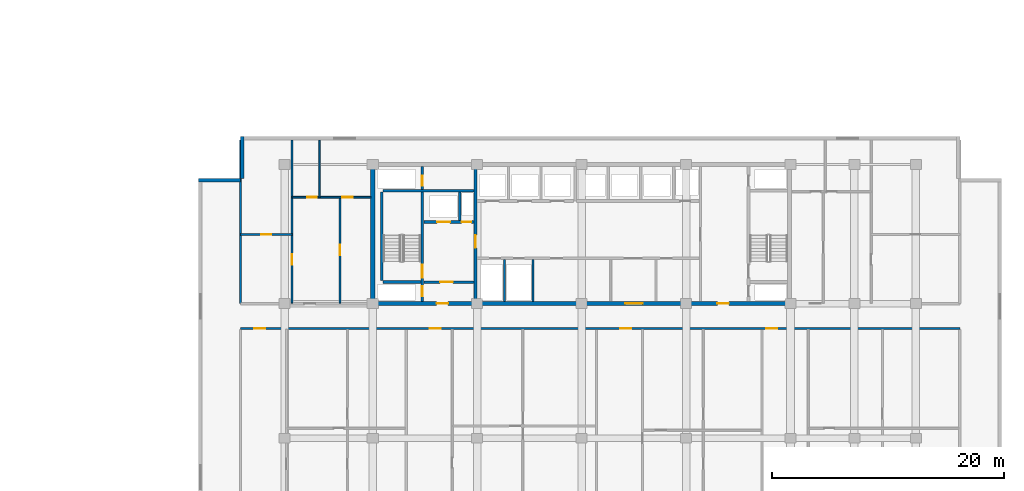
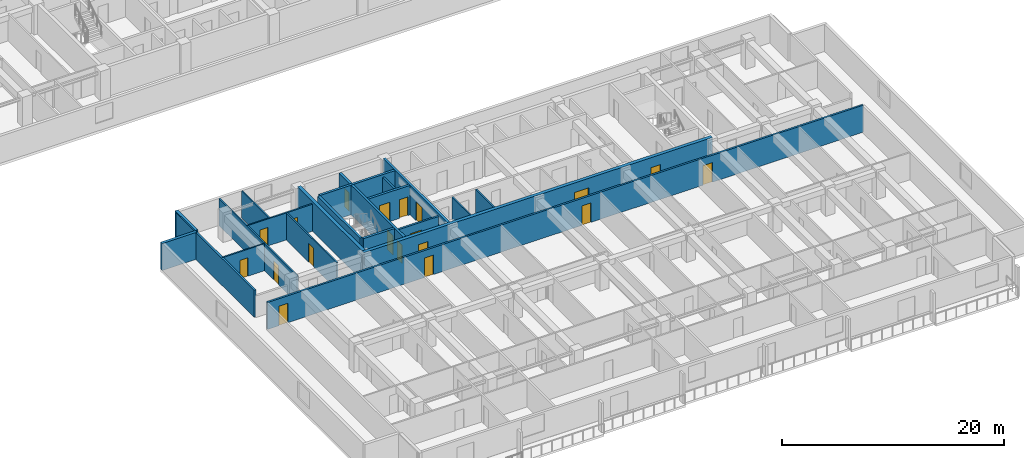
# One storey, part 6 of 23: 21 walls, 19 doors, 19 openings.
"""IFC4 building model written with IfcOpenShell, lengths in metres."""

from ifc_helpers import new_model, si_unit, direction, frame, frame_2d, origin, place, context, subcontext, project, spatial, rectangle, extrude, material, layer, layer_set, type_object, element, fill, save


model = new_model("IFC4")

# Units and contexts
model_context = context("Model", 3, precision=1e-05, world=origin(), true_north=direction((0.0, 1.0)))
body_context = subcontext(model_context, "Body", "Model", "MODEL_VIEW")
ifc_project = project(units=[si_unit("LENGTHUNIT", "METRE"), si_unit("AREAUNIT", "SQUARE_METRE"), si_unit("VOLUMEUNIT", "CUBIC_METRE"), si_unit("PLANEANGLEUNIT", "RADIAN"), si_unit("MASSUNIT", "GRAM", prefix="KILO")], contexts=[model_context])

# Site, building, storey
site_placement = place(None, origin())
site = spatial("IfcSite", under=ifc_project, at=site_placement, CompositionType="ELEMENT")
building_placement = place(site_placement, origin())
building = spatial("IfcBuilding", under=site, at=building_placement, Name="Korimba Cascade Residences", CompositionType="ELEMENT")
storey_placement = place(building_placement, frame((0.0, 0.0, 33.75)))
storey = spatial("IfcBuildingStorey", under=building, at=storey_placement, Name="L08", CompositionType="ELEMENT", Elevation=33.75)

# Walls
ifc_material_1 = material(Name="Precast concrete C40/50", Category="concrete")
ifc_layer_1 = layer(ifc_material_1, 0.300048828125)
ifc_layer_set_1 = layer_set([ifc_layer_1], Name="Precast concrete C40/50")
wall_type_1 = type_object("IfcWallType", Name="EW-STONE-300", PredefinedType="STANDARD", material=ifc_layer_set_1)
wall_1_placement = place(storey_placement, frame((70.85009765625, 32.800048828125, 0.0), z_axis=(0.0, 0.0, 1.0), x_axis=(0.0, -1.0, 0.0)))
element("IfcWall", 1, at=wall_1_placement, inside=storey, type_object=wall_type_1, Name="L08 T2 Perimeter Stone Wall E07", PredefinedType="STANDARD", context=body_context, shape_type="SweptSolid", body=[
    extrude(rectangle(XDim=3.60009765625, YDim=0.300048828125, at=frame_2d((1.800048828125, 0.0))), origin(), (0.0, 0.0, 1.0), 2.969970703125),
])
wall_2_placement = place(storey_placement, frame((70.699951171875, 29.050048828125, 0.0), z_axis=(0.0, 0.0, 1.0), x_axis=(-1.0, 0.0, 0.0)))
element("IfcWall", 2, at=wall_2_placement, inside=storey, type_object=wall_type_1, Name="L08 T2 Perimeter Stone Wall E08", PredefinedType="STANDARD", context=body_context, shape_type="SweptSolid", body=[
    extrude(rectangle(XDim=3.599853515625, YDim=0.300048828125, at=frame_2d((1.7998046875, 0.0))), origin(), (0.0, 0.0, 1.0), 2.969970703125),
])
ifc_material_2 = material(Name="Concrete C65/80", Category="concrete")
ifc_layer_2 = layer(ifc_material_2, 0.35009765625)
ifc_layer_set_2 = layer_set([ifc_layer_2], Name="Concrete C65/80")
wall_type_2 = type_object("IfcWallType", Name="WAL-CORE-350", PredefinedType="SHEAR", material=ifc_layer_set_2)
wall_3_placement = place(storey_placement, frame((82.10009765625, 18.574951171875, 0.0), z_axis=(0.0, 0.0, 1.0), x_axis=(0.0, 1.0, 0.0)))
element("IfcWall", 3, at=wall_3_placement, inside=storey, type_object=wall_type_2, Name="L08 Core Shear Wall CW-L08-T2-W", PredefinedType="SHEAR", context=body_context, shape_type="SweptSolid", body=[
    extrude(rectangle(XDim=11.650146484375, YDim=0.35009765625, at=frame_2d((5.8251953125, 0.0))), origin(), (0.0, 0.0, 1.0), 3.25),
])

# Wall, openings, doors
wall_4_placement = place(storey_placement, frame((81.925048828125, 18.39990234375, 0.0), z_axis=(0.0, 0.0, 1.0), x_axis=(1.0, 0.0, 0.0)))
wall_4 = element("IfcWall", 4, at=wall_4_placement, inside=storey, type_object=wall_type_2, Name="L08 Core Shear Wall CW-L08-T2-S", PredefinedType="SHEAR", context=body_context, shape_type="SweptSolid", body=[
    extrude(rectangle(XDim=36.264892578125, YDim=0.35009765625, at=frame_2d((18.13232421875, 0.0))), origin(), (0.0, 0.0, 1.0), 3.25),
])
opening_1_placement = place(wall_4_placement, frame((5.675048828125, 0.0, 0.0)))
opening_1 = element("IfcOpeningElement", 5, at=opening_1_placement, cuts=wall_4, Name="Opening D-FD5", PredefinedType="OPENING", context=body_context, shape_type="SweptSolid", body=[
    extrude(rectangle(XDim=1.0, YDim=2.14990234375, at=frame_2d((0.5, 1.074951171875))), frame((0.0, 0.18505859375, 0.0), z_axis=(0.0, -1.0, 0.0), x_axis=(1.0, 0.0, 0.0)), (0.0, 0.0, 1.0), 0.3701171875),
])
opening_2_placement = place(wall_4_placement, frame((21.925048828125, 0.0, 0.0)))
opening_2 = element("IfcOpeningElement", 6, at=opening_2_placement, cuts=wall_4, Name="Opening D-FD8", PredefinedType="OPENING", context=body_context, shape_type="SweptSolid", body=[
    extrude(rectangle(XDim=1.5, YDim=2.199951171875, at=frame_2d((0.75, 1.10009765625))), frame((0.0, 0.18505859375, 0.0), z_axis=(0.0, -1.0, 0.0), x_axis=(1.0, 0.0, 0.0)), (0.0, 0.0, 1.0), 0.3701171875),
])
opening_3_placement = place(wall_4_placement, frame((29.875, 0.0, 0.0)))
opening_3 = element("IfcOpeningElement", 7, at=opening_3_placement, cuts=wall_4, Name="Opening D-FD5", PredefinedType="OPENING", context=body_context, shape_type="SweptSolid", body=[
    extrude(rectangle(XDim=1.0, YDim=2.14990234375, at=frame_2d((0.5, 1.074951171875))), frame((0.0, 0.18505859375, 0.0), z_axis=(0.0, -1.0, 0.0), x_axis=(1.0, 0.0, 0.0)), (0.0, 0.0, 1.0), 0.3701171875),
])
ifc_material_3 = material(Name="Fire-Rated Acoustic Timber Vestibule Door", Category="wood")
door_type_1 = type_object("IfcDoorType", Name="DR-FD90-1000", OperationType="NOTDEFINED", PredefinedType="DOOR", material=ifc_material_3)
door_1_placement = place(opening_1_placement, origin())
door_1 = element("IfcDoor", 8, at=door_1_placement, inside=storey, type_object=door_type_1, Name="L08 T2 West Core Vestibule Fire Door", OperationType="SINGLE_SWING_LEFT", OverallHeight=2.14990234375, OverallWidth=1.0, PredefinedType="DOOR", context=body_context, shape_type="SweptSolid", body=[
    extrude(rectangle(XDim=1.0, YDim=2.14990234375, at=frame_2d((0.5, 1.074951171875))), frame((0.0, 0.02490234375, 0.0), z_axis=(0.0, -1.0, 0.0), x_axis=(1.0, 0.0, 0.0)), (0.0, 0.0, 1.0), 0.050048828125),
])
fill(opening_1, door_1)
door_2_placement = place(opening_3_placement, origin())
door_2 = element("IfcDoor", 9, at=door_2_placement, inside=storey, type_object=door_type_1, Name="L08 T2 East Stair Vestibule Fire Door", OperationType="SINGLE_SWING_RIGHT", OverallHeight=2.14990234375, OverallWidth=1.0, PredefinedType="DOOR", context=body_context, shape_type="SweptSolid", body=[
    extrude(rectangle(XDim=1.0, YDim=2.14990234375, at=frame_2d((0.5, 1.074951171875))), frame((0.0, 0.02490234375, 0.0), z_axis=(0.0, -1.0, 0.0), x_axis=(1.0, 0.0, 0.0)), (0.0, 0.0, 1.0), 0.050048828125),
])
fill(opening_3, door_2)
ifc_material_4 = material(Name="Fire-Rated Glazed Lift Lobby Double Door", Category="glass")
door_type_2 = type_object("IfcDoorType", Name="DR-FD90-1500", OperationType="NOTDEFINED", PredefinedType="DOOR", material=ifc_material_4)
door_3_placement = place(opening_2_placement, origin())
door_3 = element("IfcDoor", 10, at=door_3_placement, inside=storey, type_object=door_type_2, Name="L08 T2 Lift Lobby Fire Door", OperationType="DOUBLE_DOOR_SINGLE_SWING", OverallHeight=2.199951171875, OverallWidth=1.5, PredefinedType="DOOR", context=body_context, shape_type="SweptSolid", body=[
    extrude(rectangle(XDim=1.5, YDim=2.199951171875, at=frame_2d((0.75, 1.10009765625))), frame((0.0, 0.02490234375, 0.0), z_axis=(0.0, -1.0, 0.0), x_axis=(1.0, 0.0, 0.0)), (0.0, 0.0, 1.0), 0.050048828125),
])
fill(opening_2, door_3)

# Wall
ifc_layer_3 = layer(ifc_material_1, 0.199951171875)
ifc_layer_set_3 = layer_set([ifc_layer_3], Name="Precast concrete C40/50")
wall_type_3 = type_object("IfcWallType", Name="WAL-IT-200", PredefinedType="PARTITIONING", material=ifc_layer_set_3)
wall_5_placement = place(storey_placement, frame((70.699951171875, 18.39990234375, 0.0), z_axis=(0.0, 0.0, 1.0), x_axis=(0.0, 1.0, 0.0)))
element("IfcWall", 11, at=wall_5_placement, inside=storey, type_object=wall_type_3, Name="L08 Partition Wall WAL-L08-T2-FW-WL", PredefinedType="PARTITIONING", context=body_context, shape_type="SweptSolid", body=[
    extrude(rectangle(XDim=14.10009765625, YDim=0.199951171875, at=frame_2d((7.050048828125, 0.0))), origin(), (0.0, 0.0, 1.0), 2.969970703125),
])

# Wall, openings, doors
wall_6_placement = place(storey_placement, frame((70.699951171875, 16.25, 0.0), z_axis=(0.0, 0.0, 1.0), x_axis=(1.0, 0.0, 0.0)))
wall_6 = element("IfcWall", 12, at=wall_6_placement, inside=storey, type_object=wall_type_3, Name="L08 Partition Wall WAL-L08-T2-CORS", PredefinedType="PARTITIONING", context=body_context, shape_type="SweptSolid", body=[
    extrude(rectangle(XDim=62.0, YDim=0.199951171875, at=frame_2d((31.0, 0.0))), origin(), (0.0, 0.0, 1.0), 2.969970703125),
])
opening_4_placement = place(wall_6_placement, frame((1.18603515625, 0.0, 0.0)))
opening_4 = element("IfcOpeningElement", 13, at=opening_4_placement, cuts=wall_6, Name="Opening D-UN1", PredefinedType="OPENING", context=body_context, shape_type="SweptSolid", body=[
    extrude(rectangle(XDim=0.949951171875, YDim=2.14990234375, at=frame_2d((0.47509765625, 1.074951171875))), frame((0.0, 0.10986328125, 0.0), z_axis=(0.0, -1.0, 0.0), x_axis=(1.0, 0.0, 0.0)), (0.0, 0.0, 1.0), 0.219970703125),
])
opening_5_placement = place(wall_6_placement, frame((16.32080078125, 0.0, 0.0)))
opening_5 = element("IfcOpeningElement", 14, at=opening_5_placement, cuts=wall_6, Name="Opening D-UN1", PredefinedType="OPENING", context=body_context, shape_type="SweptSolid", body=[
    extrude(rectangle(XDim=0.949951171875, YDim=2.14990234375, at=frame_2d((0.47509765625, 1.074951171875))), frame((0.0, 0.10986328125, 0.0), z_axis=(0.0, -1.0, 0.0), x_axis=(1.0, 0.0, 0.0)), (0.0, 0.0, 1.0), 0.219970703125),
])
opening_6_placement = place(wall_6_placement, frame((32.719970703125, 0.0, 0.0)))
opening_6 = element("IfcOpeningElement", 15, at=opening_6_placement, cuts=wall_6, Name="Opening D-UN1", PredefinedType="OPENING", context=body_context, shape_type="SweptSolid", body=[
    extrude(rectangle(XDim=0.949951171875, YDim=2.14990234375, at=frame_2d((0.47509765625, 1.074951171875))), frame((0.0, 0.10986328125, 0.0), z_axis=(0.0, -1.0, 0.0), x_axis=(1.0, 0.0, 0.0)), (0.0, 0.0, 1.0), 0.219970703125),
])
opening_7_placement = place(wall_6_placement, frame((45.32080078125, 0.0, 0.0)))
opening_7 = element("IfcOpeningElement", 16, at=opening_7_placement, cuts=wall_6, Name="Opening D-UN1", PredefinedType="OPENING", context=body_context, shape_type="SweptSolid", body=[
    extrude(rectangle(XDim=0.949951171875, YDim=2.14990234375, at=frame_2d((0.47509765625, 1.074951171875))), frame((0.0, 0.10986328125, 0.0), z_axis=(0.0, -1.0, 0.0), x_axis=(1.0, 0.0, 0.0)), (0.0, 0.0, 1.0), 0.219970703125),
])
ifc_material_5 = material(Name="Fire-Rated Hardwood Apartment Entrance Door", Category="wood")
door_type_3 = type_object("IfcDoorType", Name="DR-FD60-950", OperationType="NOTDEFINED", PredefinedType="DOOR", material=ifc_material_5)
door_4_placement = place(opening_4_placement, origin())
door_4 = element("IfcDoor", 17, at=door_4_placement, inside=storey, type_object=door_type_3, Name="Unit L08-T2-U01 Entrance Door", OperationType="SINGLE_SWING_RIGHT", OverallHeight=2.14990234375, OverallWidth=0.949951171875, PredefinedType="DOOR", context=body_context, shape_type="SweptSolid", body=[
    extrude(rectangle(XDim=0.949951171875, YDim=2.14990234375, at=frame_2d((0.47509765625, 1.074951171875))), frame((0.0, 0.02490234375, 0.0), z_axis=(0.0, -1.0, 0.0), x_axis=(1.0, 0.0, 0.0)), (0.0, 0.0, 1.0), 0.050048828125),
])
fill(opening_4, door_4)
door_5_placement = place(opening_5_placement, origin())
door_5 = element("IfcDoor", 18, at=door_5_placement, inside=storey, type_object=door_type_3, Name="Unit L08-T2-U02 Entrance Door", OperationType="SINGLE_SWING_LEFT", OverallHeight=2.14990234375, OverallWidth=0.949951171875, PredefinedType="DOOR", context=body_context, shape_type="SweptSolid", body=[
    extrude(rectangle(XDim=0.949951171875, YDim=2.14990234375, at=frame_2d((0.47509765625, 1.074951171875))), frame((0.0, 0.02490234375, 0.0), z_axis=(0.0, -1.0, 0.0), x_axis=(1.0, 0.0, 0.0)), (0.0, 0.0, 1.0), 0.050048828125),
])
fill(opening_5, door_5)
door_6_placement = place(opening_6_placement, origin())
door_6 = element("IfcDoor", 19, at=door_6_placement, inside=storey, type_object=door_type_3, Name="Unit L08-T2-U03 Entrance Door", OperationType="SINGLE_SWING_RIGHT", OverallHeight=2.14990234375, OverallWidth=0.949951171875, PredefinedType="DOOR", context=body_context, shape_type="SweptSolid", body=[
    extrude(rectangle(XDim=0.949951171875, YDim=2.14990234375, at=frame_2d((0.47509765625, 1.074951171875))), frame((0.0, 0.02490234375, 0.0), z_axis=(0.0, -1.0, 0.0), x_axis=(1.0, 0.0, 0.0)), (0.0, 0.0, 1.0), 0.050048828125),
])
fill(opening_6, door_6)
door_7_placement = place(opening_7_placement, origin())
door_7 = element("IfcDoor", 20, at=door_7_placement, inside=storey, type_object=door_type_3, Name="Unit L08-T2-U04 Entrance Door", OperationType="SINGLE_SWING_LEFT", OverallHeight=2.14990234375, OverallWidth=0.949951171875, PredefinedType="DOOR", context=body_context, shape_type="SweptSolid", body=[
    extrude(rectangle(XDim=0.949951171875, YDim=2.14990234375, at=frame_2d((0.47509765625, 1.074951171875))), frame((0.0, 0.02490234375, 0.0), z_axis=(0.0, -1.0, 0.0), x_axis=(1.0, 0.0, 0.0)), (0.0, 0.0, 1.0), 0.050048828125),
])
fill(opening_7, door_7)

# Walls
ifc_material_6 = material(Name="Insulated Acoustic Stud Partition", Category="gypsum")
ifc_layer_4 = layer(ifc_material_6, 0.14990234375)
ifc_layer_set_4 = layer_set([ifc_layer_4], Name="Insulated Acoustic Stud Partition")
wall_type_4 = type_object("IfcWallType", Name="WAL-PART-150", PredefinedType="PARTITIONING", material=ifc_layer_set_4)
for number, where, z_axis, x_axis, name in (
    (21, (93.449951171875, 18.60009765625, 0.0), (0.0, 0.0, 1.0), (0.0, 1.0, 0.0), "L08 Partition Wall CW-L08-T2-ERDIV"),
    (22, (95.89990234375, 18.60009765625, 0.0), (0.0, 0.0, 1.0), (0.0, 1.0, 0.0), "L08 Partition Wall CW-L08-T2-PRDIV"),
):
    element("IfcWall", number, at=place(storey_placement, frame(where, z_axis=z_axis, x_axis=x_axis)), inside=storey, type_object=wall_type_4, Name=name, PredefinedType="PARTITIONING", context=body_context, shape_type="SweptSolid", body=[
        extrude(rectangle(XDim=3.599853515625, YDim=0.14990234375, at=frame_2d((1.7998046875, 0.0))), origin(), (0.0, 0.0, 1.0), 2.969970703125),
    ])

# Wall, opening, door
wall_7_placement = place(storey_placement, frame((70.699951171875, 24.35009765625, 0.0), z_axis=(0.0, 0.0, 1.0), x_axis=(1.0, 0.0, 0.0)))
wall_7 = element("IfcWall", 23, at=wall_7_placement, inside=storey, type_object=wall_type_4, Name="L08 Partition Wall WAL-L08-T2-FW-STH", PredefinedType="PARTITIONING", context=body_context, shape_type="SweptSolid", body=[
    extrude(rectangle(XDim=4.449951171875, YDim=0.14990234375, at=frame_2d((2.22509765625, 0.0))), origin(), (0.0, 0.0, 1.0), 2.969970703125),
])
opening_8_placement = place(wall_7_placement, frame((1.804931640625, 0.0, 0.0)))
opening_8 = element("IfcOpeningElement", 24, at=opening_8_placement, cuts=wall_7, Name="Opening D-BT1", PredefinedType="OPENING", context=body_context, shape_type="SweptSolid", body=[
    extrude(rectangle(XDim=0.840087890625, YDim=2.0400390625, at=frame_2d((0.419921875, 1.02001953125))), frame((0.0, 0.0849609375, 0.0), z_axis=(0.0, -1.0, 0.0), x_axis=(1.0, 0.0, 0.0)), (0.0, 0.0, 1.0), 0.169921875),
])
ifc_material_7 = material(Name="Moisture-Resistant Bathroom Timber Door", Category="wood")
door_type_4 = type_object("IfcDoorType", Name="DR-INT-850", OperationType="NOTDEFINED", PredefinedType="DOOR", material=ifc_material_7)
door_8_placement = place(opening_8_placement, origin())
door_8 = element("IfcDoor", 25, at=door_8_placement, inside=storey, type_object=door_type_4, Name="L08-T2-FW Dressing Store Door", OperationType="SINGLE_SWING_RIGHT", OverallHeight=2.0400390625, OverallWidth=0.840087890625, PredefinedType="DOOR", context=body_context, shape_type="SweptSolid", body=[
    extrude(rectangle(XDim=0.840087890625, YDim=2.0400390625, at=frame_2d((0.419921875, 1.02001953125))), frame((0.0, 0.02490234375, 0.0), z_axis=(0.0, -1.0, 0.0), x_axis=(1.0, 0.0, 0.0)), (0.0, 0.0, 1.0), 0.050048828125),
])
fill(opening_8, door_8)

wall_8_placement = place(storey_placement, frame((75.14990234375, 18.449951171875, 0.0), z_axis=(0.0, 0.0, 1.0), x_axis=(0.0, 1.0, 0.0)))
wall_8 = element("IfcWall", 26, at=wall_8_placement, inside=storey, type_object=wall_type_4, Name="L08 Partition Wall WAL-L08-T2-FW-STV", PredefinedType="PARTITIONING", context=body_context, shape_type="SweptSolid", body=[
    extrude(rectangle(XDim=14.050048828125, YDim=0.14990234375, at=frame_2d((7.02490234375, 0.0))), origin(), (0.0, 0.0, 1.0), 2.969970703125),
])
opening_9_placement = place(wall_8_placement, frame((3.320068359375, 0.0, 0.0)))
opening_9 = element("IfcOpeningElement", 27, at=opening_9_placement, cuts=wall_8, Name="Opening D-IN2", PredefinedType="OPENING", context=body_context, shape_type="SweptSolid", body=[
    extrude(rectangle(XDim=0.8798828125, YDim=2.06005859375, at=frame_2d((0.43994140625, 1.030029296875))), frame((0.0, 0.0849609375, 0.0), z_axis=(0.0, -1.0, 0.0), x_axis=(1.0, 0.0, 0.0)), (0.0, 0.0, 1.0), 0.169921875),
])
ifc_material_8 = material(Name="Acoustic Timber Bedroom Door", Category="wood")
door_type_5 = type_object("IfcDoorType", Name="DR-INT-880", OperationType="NOTDEFINED", PredefinedType="DOOR", material=ifc_material_8)
door_9_placement = place(opening_9_placement, origin())
door_9 = element("IfcDoor", 28, at=door_9_placement, inside=storey, type_object=door_type_5, Name="L08-T2-FW Study Door", OperationType="SINGLE_SWING_LEFT", OverallHeight=2.06005859375, OverallWidth=0.8798828125, PredefinedType="DOOR", context=body_context, shape_type="SweptSolid", body=[
    extrude(rectangle(XDim=0.8798828125, YDim=2.06005859375, at=frame_2d((0.43994140625, 1.030029296875))), frame((0.0, 0.02490234375, 0.0), z_axis=(0.0, -1.0, 0.0), x_axis=(1.0, 0.0, 0.0)), (0.0, 0.0, 1.0), 0.050048828125),
])
fill(opening_9, door_9)

wall_9_placement = place(storey_placement, frame((79.27001953125, 18.449951171875, 0.0), z_axis=(0.0, 0.0, 1.0), x_axis=(0.0, 1.0, 0.0)))
wall_9 = element("IfcWall", 29, at=wall_9_placement, inside=storey, type_object=wall_type_4, Name="L08 Partition Wall WAL-L08-T2-FW-VS", PredefinedType="PARTITIONING", context=body_context, shape_type="SweptSolid", body=[
    extrude(rectangle(XDim=9.1201171875, YDim=0.14990234375, at=frame_2d((4.56005859375, 0.0))), origin(), (0.0, 0.0, 1.0), 2.969970703125),
])
opening_10_placement = place(wall_9_placement, frame((4.10009765625, 0.0, 0.0)))
opening_10 = element("IfcOpeningElement", 30, at=opening_10_placement, cuts=wall_9, Name="Opening D-IN1", PredefinedType="OPENING", context=body_context, shape_type="SweptSolid", body=[
    extrude(rectangle(XDim=0.919921875, YDim=2.080078125, at=frame_2d((0.4599609375, 1.0400390625))), frame((0.0, 0.0849609375, 0.0), z_axis=(0.0, -1.0, 0.0), x_axis=(1.0, 0.0, 0.0)), (0.0, 0.0, 1.0), 0.169921875),
])
ifc_material_9 = material(Name="Acoustic Timber Living Door", Category="wood")
door_type_6 = type_object("IfcDoorType", Name="DR-INT-920", OperationType="NOTDEFINED", PredefinedType="DOOR", material=ifc_material_9)
door_10_placement = place(opening_10_placement, origin())
door_10 = element("IfcDoor", 31, at=door_10_placement, inside=storey, type_object=door_type_6, Name="L08-T2-FW Living Door", OperationType="SINGLE_SWING_RIGHT", OverallHeight=2.080078125, OverallWidth=0.919921875, PredefinedType="DOOR", context=body_context, shape_type="SweptSolid", body=[
    extrude(rectangle(XDim=0.919921875, YDim=2.080078125, at=frame_2d((0.4599609375, 1.0400390625))), frame((0.0, 0.02490234375, 0.0), z_axis=(0.0, -1.0, 0.0), x_axis=(1.0, 0.0, 0.0)), (0.0, 0.0, 1.0), 0.050048828125),
])
fill(opening_10, door_10)

# Wall
wall_10_placement = place(storey_placement, frame((77.5, 27.570068359375, 0.0), z_axis=(0.0, 0.0, 1.0), x_axis=(0.0, 1.0, 0.0)))
element("IfcWall", 32, at=wall_10_placement, inside=storey, type_object=wall_type_4, Name="L08 Partition Wall WAL-L08-T2-FW-VN", PredefinedType="PARTITIONING", context=body_context, shape_type="SweptSolid", body=[
    extrude(rectangle(XDim=4.929931640625, YDim=0.14990234375, at=frame_2d((2.46484375, 0.0))), origin(), (0.0, 0.0, 1.0), 2.969970703125),
])

# Wall, openings, doors
wall_11_placement = place(storey_placement, frame((75.169921875, 27.570068359375, 0.0), z_axis=(0.0, 0.0, 1.0), x_axis=(1.0, 0.0, 0.0)))
wall_11 = element("IfcWall", 33, at=wall_11_placement, inside=storey, type_object=wall_type_4, Name="L08 Partition Wall WAL-L08-T2-FW-H", PredefinedType="PARTITIONING", context=body_context, shape_type="SweptSolid", body=[
    extrude(rectangle(XDim=6.760009765625, YDim=0.14990234375, at=frame_2d((3.3798828125, 0.0))), origin(), (0.0, 0.0, 1.0), 2.969970703125),
])
opening_11_placement = place(wall_11_placement, frame((1.266357421875, 0.0, 0.0)))
opening_11 = element("IfcOpeningElement", 34, at=opening_11_placement, cuts=wall_11, Name="Opening D-BT1", PredefinedType="OPENING", context=body_context, shape_type="SweptSolid", body=[
    extrude(rectangle(XDim=0.840087890625, YDim=2.0400390625, at=frame_2d((0.419921875, 1.02001953125))), frame((0.0, 0.0849609375, 0.0), z_axis=(0.0, -1.0, 0.0), x_axis=(1.0, 0.0, 0.0)), (0.0, 0.0, 1.0), 0.169921875),
])
opening_12_placement = place(wall_11_placement, frame((4.320068359375, 0.0, 0.0)))
opening_12 = element("IfcOpeningElement", 35, at=opening_12_placement, cuts=wall_11, Name="Opening D-IN2", PredefinedType="OPENING", context=body_context, shape_type="SweptSolid", body=[
    extrude(rectangle(XDim=0.8798828125, YDim=2.06005859375, at=frame_2d((0.43994140625, 1.030029296875))), frame((0.0, 0.0849609375, 0.0), z_axis=(0.0, -1.0, 0.0), x_axis=(1.0, 0.0, 0.0)), (0.0, 0.0, 1.0), 0.169921875),
])
door_11_placement = place(opening_11_placement, origin())
door_11 = element("IfcDoor", 36, at=door_11_placement, inside=storey, type_object=door_type_4, Name="L08-T2-FW Bathroom Door", OperationType="SINGLE_SWING_LEFT", OverallHeight=2.0400390625, OverallWidth=0.840087890625, PredefinedType="DOOR", context=body_context, shape_type="SweptSolid", body=[
    extrude(rectangle(XDim=0.840087890625, YDim=2.0400390625, at=frame_2d((0.419921875, 1.02001953125))), frame((0.0, 0.02490234375, 0.0), z_axis=(0.0, -1.0, 0.0), x_axis=(1.0, 0.0, 0.0)), (0.0, 0.0, 1.0), 0.050048828125),
])
fill(opening_11, door_11)
door_12_placement = place(opening_12_placement, origin())
door_12 = element("IfcDoor", 37, at=door_12_placement, inside=storey, type_object=door_type_5, Name="L08-T2-FW Bedroom Door", OperationType="SINGLE_SWING_RIGHT", OverallHeight=2.06005859375, OverallWidth=0.8798828125, PredefinedType="DOOR", context=body_context, shape_type="SweptSolid", body=[
    extrude(rectangle(XDim=0.8798828125, YDim=2.06005859375, at=frame_2d((0.43994140625, 1.030029296875))), frame((0.0, 0.02490234375, 0.0), z_axis=(0.0, -1.0, 0.0), x_axis=(1.0, 0.0, 0.0)), (0.0, 0.0, 1.0), 0.050048828125),
])
fill(opening_12, door_12)

# Wall
ifc_material_10 = material(Name="Concrete C40/50", Category="concrete")
ifc_layer_5 = layer(ifc_material_10, 0.199951171875)
ifc_layer_set_5 = layer_set([ifc_layer_5], Name="Concrete C40/50")
wall_type_5 = type_object("IfcWallType", Name="WAL-PART-200", PredefinedType="PARTITIONING", material=ifc_layer_set_5)
wall_12_placement = place(storey_placement, frame((89.60009765625, 25.580078125, 0.0), z_axis=(0.0, 0.0, 1.0), x_axis=(0.0, 1.0, 0.0)))
element("IfcWall", 38, at=wall_12_placement, inside=storey, type_object=wall_type_5, Name="L08 Partition Wall CW-L08-T2-FFLDIV", PredefinedType="PARTITIONING", context=body_context, shape_type="SweptSolid", body=[
    extrude(rectangle(XDim=2.419921875, YDim=0.199951171875, at=frame_2d((1.2099609375, 0.0))), origin(), (0.0, 0.0, 1.0), 2.969970703125),
])

# Wall, opening, door
wall_13_placement = place(storey_placement, frame((86.5, 20.25, 0.0), z_axis=(0.0, 0.0, 1.0), x_axis=(1.0, 0.0, 0.0)))
wall_13 = element("IfcWall", 39, at=wall_13_placement, inside=storey, type_object=wall_type_5, Name="L08 Partition Wall CW-L08-T2-FFLS", PredefinedType="PARTITIONING", context=body_context, shape_type="SweptSolid", body=[
    extrude(rectangle(XDim=4.320068359375, YDim=0.199951171875, at=frame_2d((2.16015625, 0.0))), origin(), (0.0, 0.0, 1.0), 2.969970703125),
])
opening_13_placement = place(wall_13_placement, frame((1.39990234375, 0.0, 0.0)))
opening_13 = element("IfcOpeningElement", 40, at=opening_13_placement, cuts=wall_13, Name="Opening D-FD1", PredefinedType="OPENING", context=body_context, shape_type="SweptSolid", body=[
    extrude(rectangle(XDim=1.10009765625, YDim=2.10009765625, at=frame_2d((0.550048828125, 1.050048828125))), frame((0.0, 0.10986328125, 0.0), z_axis=(0.0, -1.0, 0.0), x_axis=(1.0, 0.0, 0.0)), (0.0, 0.0, 1.0), 0.219970703125),
])
ifc_material_11 = material(Name="Fire-Rated Steel Core Door", Category="steel")
door_type_7 = type_object("IfcDoorType", Name="DR-FD120-1100", OperationType="NOTDEFINED", PredefinedType="DOOR", material=ifc_material_11)
door_13_placement = place(opening_13_placement, origin())
door_13 = element("IfcDoor", 41, at=door_13_placement, inside=storey, type_object=door_type_7, Name="L08 T2 Firefighting Lobby Door", OperationType="SINGLE_SWING_LEFT", OverallHeight=2.10009765625, OverallWidth=1.10009765625, PredefinedType="DOOR", context=body_context, shape_type="SweptSolid", body=[
    extrude(rectangle(XDim=1.10009765625, YDim=2.10009765625, at=frame_2d((0.550048828125, 1.050048828125))), frame((0.0, 0.02490234375, 0.0), z_axis=(0.0, -1.0, 0.0), x_axis=(1.0, 0.0, 0.0)), (0.0, 0.0, 1.0), 0.050048828125),
])
fill(opening_13, door_13)

# Wall
ifc_material_12 = material(Name="Concrete C50/60", Category="concrete")
ifc_layer_6 = layer(ifc_material_12, 0.25)
ifc_layer_set_6 = layer_set([ifc_layer_6], Name="Concrete C50/60")
wall_type_6 = type_object("IfcWallType", Name="WAL-SHAFT-250", PredefinedType="SHEAR", material=ifc_layer_set_6)
wall_14_placement = place(storey_placement, frame((82.875, 20.39990234375, 0.0), z_axis=(0.0, 0.0, 1.0), x_axis=(0.0, 1.0, 0.0)))
element("IfcWall", 42, at=wall_14_placement, inside=storey, type_object=wall_type_6, Name="L08 Core Shear Wall CW-L08-T2-STE1W", PredefinedType="SHEAR", context=body_context, shape_type="SweptSolid", body=[
    extrude(rectangle(XDim=7.60009765625, YDim=0.25, at=frame_2d((3.800048828125, 0.0))), origin(), (0.0, 0.0, 1.0), 3.25),
])

# Wall, openings, doors
wall_15_placement = place(storey_placement, frame((86.364990234375, 18.60009765625, 0.0), z_axis=(0.0, 0.0, 1.0), x_axis=(0.0, 1.0, 0.0)))
wall_15 = element("IfcWall", 43, at=wall_15_placement, inside=storey, type_object=wall_type_6, Name="L08 Core Shear Wall CW-L08-T2-STE1E", PredefinedType="SHEAR", context=body_context, shape_type="SweptSolid", body=[
    extrude(rectangle(XDim=11.599853515625, YDim=0.25, at=frame_2d((5.7998046875, 0.0))), origin(), (0.0, 0.0, 1.0), 3.25),
])
opening_14_placement = place(wall_15_placement, frame((0.449951171875, 0.0, 0.0)))
opening_14 = element("IfcOpeningElement", 44, at=opening_14_placement, cuts=wall_15, Name="Opening D-RS1", PredefinedType="OPENING", context=body_context, shape_type="SweptSolid", body=[
    extrude(rectangle(XDim=0.85009765625, YDim=2.050048828125, at=frame_2d((0.425048828125, 1.02490234375))), frame((0.0, 0.135009765625, 0.0), z_axis=(0.0, -1.0, 0.0), x_axis=(1.0, 0.0, 0.0)), (0.0, 0.0, 1.0), 0.27001953125),
])
opening_15_placement = place(wall_15_placement, frame((2.050048828125, 0.0, 0.0)))
opening_15 = element("IfcOpeningElement", 45, at=opening_15_placement, cuts=wall_15, Name="Opening D-FD1", PredefinedType="OPENING", context=body_context, shape_type="SweptSolid", body=[
    extrude(rectangle(XDim=1.10009765625, YDim=2.10009765625, at=frame_2d((0.550048828125, 1.050048828125))), frame((0.0, 0.135009765625, 0.0), z_axis=(0.0, -1.0, 0.0), x_axis=(1.0, 0.0, 0.0)), (0.0, 0.0, 1.0), 0.27001953125),
])
opening_16_placement = place(wall_15_placement, frame((9.949951171875, 0.0, 0.0)))
opening_16 = element("IfcOpeningElement", 46, at=opening_16_placement, cuts=wall_15, Name="Opening D-RS1", PredefinedType="OPENING", context=body_context, shape_type="SweptSolid", body=[
    extrude(rectangle(XDim=0.85009765625, YDim=2.050048828125, at=frame_2d((0.425048828125, 1.02490234375))), frame((0.0, 0.135009765625, 0.0), z_axis=(0.0, -1.0, 0.0), x_axis=(1.0, 0.0, 0.0)), (0.0, 0.0, 1.0), 0.27001953125),
])
door_14_placement = place(opening_15_placement, origin())
door_14 = element("IfcDoor", 47, at=door_14_placement, inside=storey, type_object=door_type_7, Name="L08 Fire Stair ST-E1 Door", OperationType="SINGLE_SWING_RIGHT", OverallHeight=2.10009765625, OverallWidth=1.10009765625, PredefinedType="DOOR", context=body_context, shape_type="SweptSolid", body=[
    extrude(rectangle(XDim=1.10009765625, YDim=2.10009765625, at=frame_2d((0.550048828125, 1.050048828125))), frame((0.0, 0.02490234375, 0.0), z_axis=(0.0, -1.0, 0.0), x_axis=(1.0, 0.0, 0.0)), (0.0, 0.0, 1.0), 0.050048828125),
])
fill(opening_15, door_14)
ifc_material_13 = material(Name="Fire-Rated Steel Riser Access Door", Category="steel")
door_type_8 = type_object("IfcDoorType", Name="DR-FD60-850", OperationType="NOTDEFINED", PredefinedType="DOOR", material=ifc_material_13)
door_15_placement = place(opening_14_placement, origin())
door_15 = element("IfcDoor", 48, at=door_15_placement, inside=storey, type_object=door_type_8, Name="L08 T2 Hydrant Riser Door", OperationType="SINGLE_SWING_LEFT", OverallHeight=2.050048828125, OverallWidth=0.85009765625, PredefinedType="DOOR", context=body_context, shape_type="SweptSolid", body=[
    extrude(rectangle(XDim=0.85009765625, YDim=2.050048828125, at=frame_2d((0.425048828125, 1.02490234375))), frame((0.0, 0.02490234375, 0.0), z_axis=(0.0, -1.0, 0.0), x_axis=(1.0, 0.0, 0.0)), (0.0, 0.0, 1.0), 0.050048828125),
])
fill(opening_14, door_15)
door_16_placement = place(opening_16_placement, origin())
door_16 = element("IfcDoor", 49, at=door_16_placement, inside=storey, type_object=door_type_8, Name="L08 T2 Smoke Shaft Door", OperationType="SINGLE_SWING_LEFT", OverallHeight=2.050048828125, OverallWidth=0.85009765625, PredefinedType="DOOR", context=body_context, shape_type="SweptSolid", body=[
    extrude(rectangle(XDim=0.85009765625, YDim=2.050048828125, at=frame_2d((0.425048828125, 1.02490234375))), frame((0.0, 0.02490234375, 0.0), z_axis=(0.0, -1.0, 0.0), x_axis=(1.0, 0.0, 0.0)), (0.0, 0.0, 1.0), 0.050048828125),
])
fill(opening_16, door_16)

# Walls
wall_16_placement = place(storey_placement, frame((83.0, 20.27490234375, 0.0), z_axis=(0.0, 0.0, 1.0), x_axis=(1.0, 0.0, 0.0)))
element("IfcWall", 50, at=wall_16_placement, inside=storey, type_object=wall_type_6, Name="L08 Core Shear Wall CW-L08-T2-STE1S", PredefinedType="SHEAR", context=body_context, shape_type="SweptSolid", body=[
    extrude(rectangle(XDim=3.239990234375, YDim=0.25, at=frame_2d((1.6201171875, 0.0))), origin(), (0.0, 0.0, 1.0), 3.25),
])
wall_17_placement = place(storey_placement, frame((83.0, 28.125, 0.0), z_axis=(0.0, 0.0, 1.0), x_axis=(1.0, 0.0, 0.0)))
element("IfcWall", 51, at=wall_17_placement, inside=storey, type_object=wall_type_6, Name="L08 Core Shear Wall CW-L08-T2-STE1N", PredefinedType="SHEAR", context=body_context, shape_type="SweptSolid", body=[
    extrude(rectangle(XDim=7.820068359375, YDim=0.25, at=frame_2d((3.91015625, 0.0))), origin(), (0.0, 0.0, 1.0), 3.25),
])

# Wall, openings, doors
wall_18_placement = place(storey_placement, frame((86.5, 25.449951171875, 0.0), z_axis=(0.0, 0.0, 1.0), x_axis=(1.0, 0.0, 0.0)))
wall_18 = element("IfcWall", 52, at=wall_18_placement, inside=storey, type_object=wall_type_6, Name="L08 Core Shear Wall CW-L08-T2-FFLN", PredefinedType="SHEAR", context=body_context, shape_type="SweptSolid", body=[
    extrude(rectangle(XDim=4.320068359375, YDim=0.25, at=frame_2d((2.16015625, 0.0))), origin(), (0.0, 0.0, 1.0), 3.25),
])
opening_17_placement = place(wall_18_placement, frame((1.139892578125, 0.0, 0.0)))
opening_17 = element("IfcOpeningElement", 53, at=opening_17_placement, cuts=wall_18, Name="Opening LD-01", PredefinedType="OPENING", context=body_context, shape_type="SweptSolid", body=[
    extrude(rectangle(XDim=1.1201171875, YDim=2.1201171875, at=frame_2d((0.56005859375, 1.06005859375))), frame((0.0, 0.135009765625, 0.0), z_axis=(0.0, -1.0, 0.0), x_axis=(1.0, 0.0, 0.0)), (0.0, 0.0, 1.0), 0.27001953125),
])
opening_18_placement = place(wall_18_placement, frame((3.25, 0.0, 0.0)))
opening_18 = element("IfcOpeningElement", 54, at=opening_18_placement, cuts=wall_18, Name="Opening D-RS1", PredefinedType="OPENING", context=body_context, shape_type="SweptSolid", body=[
    extrude(rectangle(XDim=0.85009765625, YDim=2.050048828125, at=frame_2d((0.425048828125, 1.02490234375))), frame((0.0, 0.135009765625, 0.0), z_axis=(0.0, -1.0, 0.0), x_axis=(1.0, 0.0, 0.0)), (0.0, 0.0, 1.0), 0.27001953125),
])
door_17_placement = place(opening_18_placement, origin())
door_17 = element("IfcDoor", 55, at=door_17_placement, inside=storey, type_object=door_type_8, Name="L08 T2 Pressurisation Riser Door", OperationType="SINGLE_SWING_RIGHT", OverallHeight=2.050048828125, OverallWidth=0.85009765625, PredefinedType="DOOR", context=body_context, shape_type="SweptSolid", body=[
    extrude(rectangle(XDim=0.85009765625, YDim=2.050048828125, at=frame_2d((0.425048828125, 1.02490234375))), frame((0.0, 0.02490234375, 0.0), z_axis=(0.0, -1.0, 0.0), x_axis=(1.0, 0.0, 0.0)), (0.0, 0.0, 1.0), 0.050048828125),
])
fill(opening_18, door_17)
ifc_material_14 = material(Name="Stainless Steel Lift Landing Sliding Door", Category="steel")
door_type_9 = type_object("IfcDoorType", Name="DR-LIFT-1100", OperationType="NOTDEFINED", PredefinedType="DOOR", material=ifc_material_14)
door_18_placement = place(opening_17_placement, origin())
door_18 = element("IfcDoor", 56, at=door_18_placement, inside=storey, type_object=door_type_9, Name="L08 Firefighting Lift Landing Door FFL-E1", OperationType="SLIDING_TO_RIGHT", OverallHeight=2.1201171875, OverallWidth=1.1201171875, PredefinedType="DOOR", context=body_context, shape_type="SweptSolid", body=[
    extrude(rectangle(XDim=1.1201171875, YDim=2.1201171875, at=frame_2d((0.56005859375, 1.06005859375))), frame((0.0, 0.02490234375, 0.0), z_axis=(0.0, -1.0, 0.0), x_axis=(1.0, 0.0, 0.0)), (0.0, 0.0, 1.0), 0.050048828125),
])
fill(opening_17, door_18)

# Wall, opening, door
wall_19_placement = place(storey_placement, frame((90.949951171875, 18.60009765625, 0.0), z_axis=(0.0, 0.0, 1.0), x_axis=(0.0, 1.0, 0.0)))
wall_19 = element("IfcWall", 57, at=wall_19_placement, inside=storey, type_object=wall_type_6, Name="L08 Core Shear Wall CW-L08-T2-FFLE", PredefinedType="SHEAR", context=body_context, shape_type="SweptSolid", body=[
    extrude(rectangle(XDim=11.599853515625, YDim=0.25, at=frame_2d((5.7998046875, 0.0))), origin(), (0.0, 0.0, 1.0), 3.25),
])
opening_19_placement = place(wall_19_placement, frame((4.60009765625, 0.0, 0.0)))
opening_19 = element("IfcOpeningElement", 58, at=opening_19_placement, cuts=wall_19, Name="Opening D-FD1", PredefinedType="OPENING", context=body_context, shape_type="SweptSolid", body=[
    extrude(rectangle(XDim=1.10009765625, YDim=2.10009765625, at=frame_2d((0.550048828125, 1.050048828125))), frame((0.0, 0.135009765625, 0.0), z_axis=(0.0, -1.0, 0.0), x_axis=(1.0, 0.0, 0.0)), (0.0, 0.0, 1.0), 0.27001953125),
])
door_19_placement = place(opening_19_placement, origin())
door_19 = element("IfcDoor", 59, at=door_19_placement, inside=storey, type_object=door_type_7, Name="L08 T2 Firefighting Lobby to Lift Lobby Door", OperationType="SINGLE_SWING_RIGHT", OverallHeight=2.10009765625, OverallWidth=1.10009765625, PredefinedType="DOOR", context=body_context, shape_type="SweptSolid", body=[
    extrude(rectangle(XDim=1.10009765625, YDim=2.10009765625, at=frame_2d((0.550048828125, 1.050048828125))), frame((0.0, 0.02490234375, 0.0), z_axis=(0.0, -1.0, 0.0), x_axis=(1.0, 0.0, 0.0)), (0.0, 0.0, 1.0), 0.050048828125),
])
fill(opening_19, door_19)

save(model, "model.ifc")
